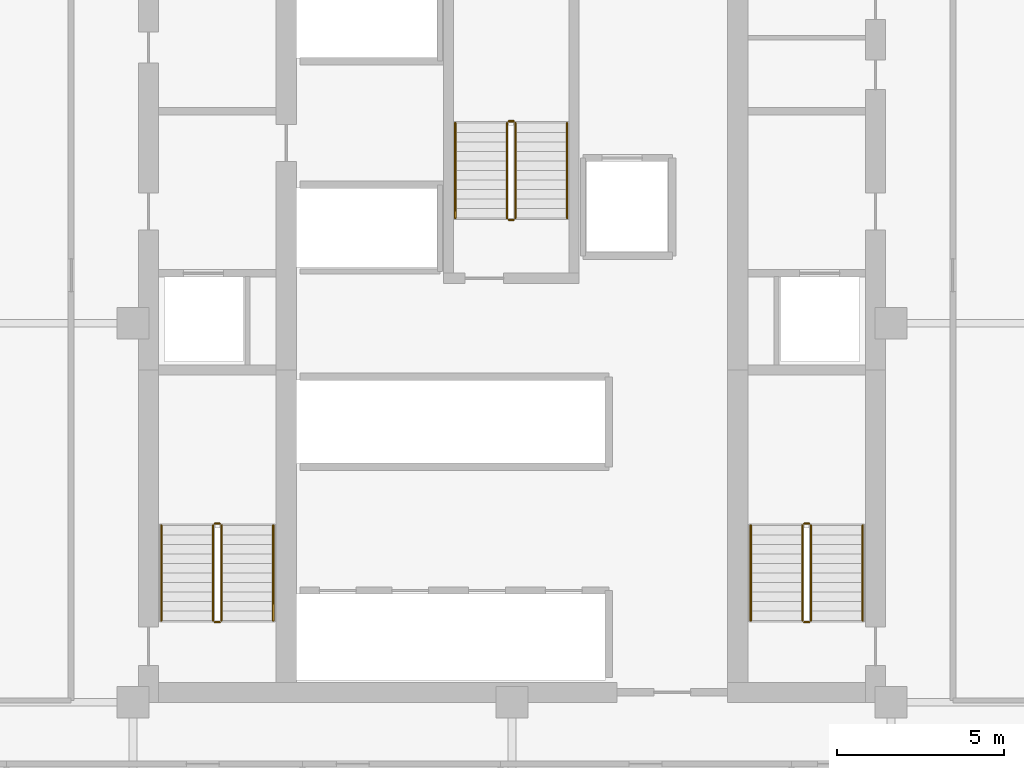
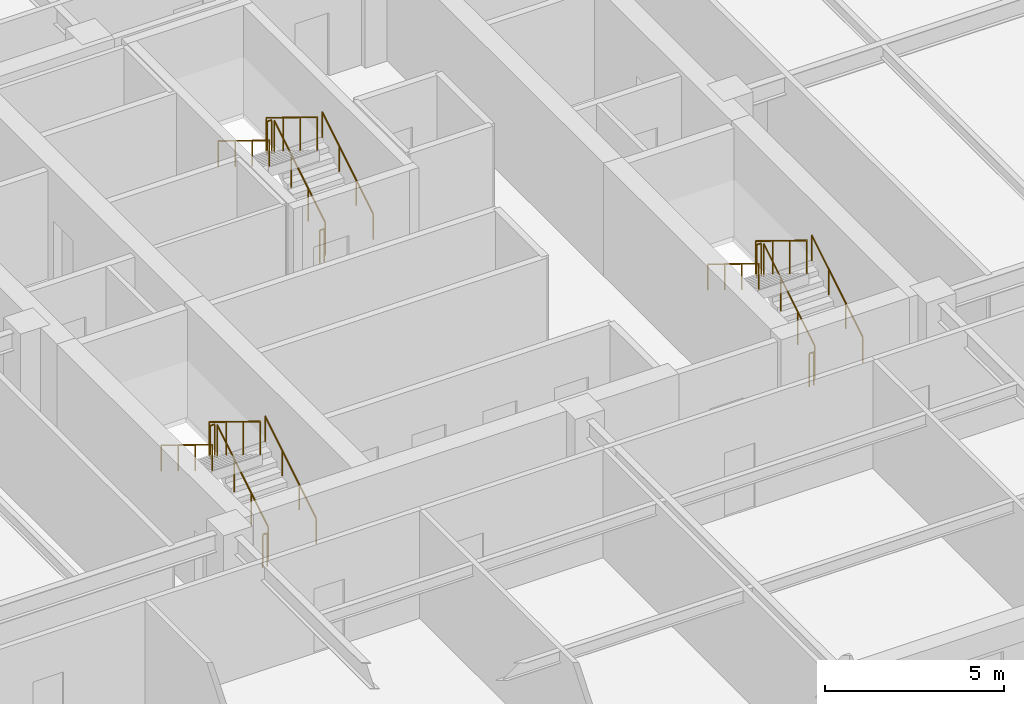
# One storey, part 9 of 9: 18 railings.
"""IFC4 building model written with IfcOpenShell, lengths in metres."""

from ifc_helpers import new_model, si_unit, direction, frame, origin, origin_2d, place, context, subcontext, project, spatial, circle, extrude, material, type_object, element, save


model = new_model("IFC4")

# Units and contexts
model_context = context("Model", 3, precision=1e-05, world=origin(), true_north=direction((0.0, 1.0)))
body_context = subcontext(model_context, "Body", "Model", "MODEL_VIEW")
ifc_project = project(units=[si_unit("LENGTHUNIT", "METRE"), si_unit("AREAUNIT", "SQUARE_METRE"), si_unit("VOLUMEUNIT", "CUBIC_METRE"), si_unit("PLANEANGLEUNIT", "RADIAN"), si_unit("MASSUNIT", "GRAM", prefix="KILO")], contexts=[model_context])

# Site, building, storey
site_placement = place(None, origin())
site = spatial("IfcSite", under=ifc_project, at=site_placement, CompositionType="ELEMENT")
building_placement = place(site_placement, origin())
building = spatial("IfcBuilding", under=site, at=building_placement, Name="Nhamokura Convention Tower", CompositionType="ELEMENT")
storey_placement = place(building_placement, frame((0.0, 0.0, 156.800048828125)))
storey = spatial("IfcBuildingStorey", under=building, at=storey_placement, Name="L38", CompositionType="ELEMENT", Elevation=156.800048828125)

# Railings
ifc_material_1 = material(Name="Anodised bronze stainless steel", Category="steel")
railing_type_1 = type_object("IfcRailingType", Name="StairWallHandrail_900", PredefinedType="HANDRAIL", material=ifc_material_1)
railing_1_placement = place(storey_placement, frame((24.85009765625, 23.10009765625, 0.175048828125)))
element("IfcRailing", 1, at=railing_1_placement, inside=storey, type_object=railing_type_1, Name="L38 ST-01 stair handrail 1", PredefinedType="HANDRAIL", context=body_context, shape_type="SweptSolid", body=[
    extrude(circle(Radius=0.02392578125, at=origin_2d()), frame((0.0, 0.0, 0.8759765625), z_axis=(0.0, 0.852159232446, 0.523282564737), x_axis=(-1.0, 0.0, 0.0)), (0.0, 0.0, 1.0), 3.34423828125),
    extrude(circle(Radius=0.02099609375, at=origin_2d()), origin(), (0.0, 0.0, 1.0), 0.851806640625),
    extrude(circle(Radius=0.02099609375, at=origin_2d()), frame((0.0, 0.949951171875, 0.583251953125)), (0.0, 0.0, 1.0), 0.851806640625),
    extrude(circle(Radius=0.02099609375, at=origin_2d()), frame((0.0, 1.89990234375, 1.166748046875)), (0.0, 0.0, 1.0), 0.851806640625),
    extrude(circle(Radius=0.02099609375, at=origin_2d()), frame((0.0, 2.849853515625, 1.75)), (0.0, 0.0, 1.0), 0.851806640625),
])
railing_2_placement = place(storey_placement, frame((21.5, 25.949951171875, 2.099853515625)))
element("IfcRailing", 2, at=railing_2_placement, inside=storey, type_object=railing_type_1, Name="L38 ST-01 stair handrail 2", PredefinedType="HANDRAIL", context=body_context, shape_type="SweptSolid", body=[
    extrude(circle(Radius=0.02392578125, at=origin_2d()), frame((0.0, 0.0, 0.8759765625), z_axis=(0.0, -0.852159232446, 0.523282564737), x_axis=(1.0, 0.0, 0.0)), (0.0, 0.0, 1.0), 3.34423828125),
    extrude(circle(Radius=0.02099609375, at=origin_2d()), origin(), (0.0, 0.0, 1.0), 0.851806640625),
    extrude(circle(Radius=0.02099609375, at=origin_2d()), frame((0.0, -0.949951171875, 0.583251953125)), (0.0, 0.0, 1.0), 0.851806640625),
    extrude(circle(Radius=0.02099609375, at=origin_2d()), frame((0.0, -1.89990234375, 1.166748046875)), (0.0, 0.0, 1.0), 0.851806640625),
    extrude(circle(Radius=0.02099609375, at=origin_2d()), frame((0.0, -2.849853515625, 1.75)), (0.0, 0.0, 1.0), 0.851806640625),
])
railing_3_placement = place(storey_placement, frame((42.5, 23.10009765625, 0.175048828125)))
element("IfcRailing", 3, at=railing_3_placement, inside=storey, type_object=railing_type_1, Name="L38 ST-02 stair handrail 1", PredefinedType="HANDRAIL", context=body_context, shape_type="SweptSolid", body=[
    extrude(circle(Radius=0.02392578125, at=origin_2d()), frame((0.0, 0.0, 0.8759765625), z_axis=(0.0, 0.852159232446, 0.523282564737), x_axis=(-1.0, 0.0, 0.0)), (0.0, 0.0, 1.0), 3.34423828125),
    extrude(circle(Radius=0.02099609375, at=origin_2d()), origin(), (0.0, 0.0, 1.0), 0.851806640625),
    extrude(circle(Radius=0.02099609375, at=origin_2d()), frame((0.0, 0.949951171875, 0.583251953125)), (0.0, 0.0, 1.0), 0.851806640625),
    extrude(circle(Radius=0.02099609375, at=origin_2d()), frame((0.0, 1.89990234375, 1.166748046875)), (0.0, 0.0, 1.0), 0.851806640625),
    extrude(circle(Radius=0.02099609375, at=origin_2d()), frame((0.0, 2.849853515625, 1.75)), (0.0, 0.0, 1.0), 0.851806640625),
])
railing_4_placement = place(storey_placement, frame((39.14990234375, 25.949951171875, 2.099853515625)))
element("IfcRailing", 4, at=railing_4_placement, inside=storey, type_object=railing_type_1, Name="L38 ST-02 stair handrail 2", PredefinedType="HANDRAIL", context=body_context, shape_type="SweptSolid", body=[
    extrude(circle(Radius=0.02392578125, at=origin_2d()), frame((0.0, 0.0, 0.8759765625), z_axis=(0.0, -0.852159232446, 0.523282564737), x_axis=(1.0, 0.0, 0.0)), (0.0, 0.0, 1.0), 3.34423828125),
    extrude(circle(Radius=0.02099609375, at=origin_2d()), origin(), (0.0, 0.0, 1.0), 0.851806640625),
    extrude(circle(Radius=0.02099609375, at=origin_2d()), frame((0.0, -0.949951171875, 0.583251953125)), (0.0, 0.0, 1.0), 0.851806640625),
    extrude(circle(Radius=0.02099609375, at=origin_2d()), frame((0.0, -1.89990234375, 1.166748046875)), (0.0, 0.0, 1.0), 0.851806640625),
    extrude(circle(Radius=0.02099609375, at=origin_2d()), frame((0.0, -2.849853515625, 1.75)), (0.0, 0.0, 1.0), 0.851806640625),
])
railing_5_placement = place(storey_placement, frame((33.64990234375, 35.14990234375, 0.175048828125)))
element("IfcRailing", 5, at=railing_5_placement, inside=storey, type_object=railing_type_1, Name="L38 ST-03 stair handrail 1", PredefinedType="HANDRAIL", context=body_context, shape_type="SweptSolid", body=[
    extrude(circle(Radius=0.02392578125, at=origin_2d()), frame((0.0, 0.0, 0.8759765625), z_axis=(0.0, 0.852179220489, 0.52325001306), x_axis=(-1.0, 0.0, 0.0)), (0.0, 0.0, 1.0), 3.344482421875),
    extrude(circle(Radius=0.02099609375, at=origin_2d()), origin(), (0.0, 0.0, 1.0), 0.851806640625),
    extrude(circle(Radius=0.02099609375, at=origin_2d()), frame((0.0, 0.949951171875, 0.583251953125)), (0.0, 0.0, 1.0), 0.851806640625),
    extrude(circle(Radius=0.02099609375, at=origin_2d()), frame((0.0, 1.900146484375, 1.166748046875)), (0.0, 0.0, 1.0), 0.851806640625),
    extrude(circle(Radius=0.02099609375, at=origin_2d()), frame((0.0, 2.85009765625, 1.75)), (0.0, 0.0, 1.0), 0.851806640625),
])
railing_6_placement = place(storey_placement, frame((30.300048828125, 38.0, 2.099853515625)))
element("IfcRailing", 6, at=railing_6_placement, inside=storey, type_object=railing_type_1, Name="L38 ST-03 stair handrail 2", PredefinedType="HANDRAIL", context=body_context, shape_type="SweptSolid", body=[
    extrude(circle(Radius=0.02392578125, at=origin_2d()), frame((0.0, 0.0, 0.8759765625), z_axis=(0.0, -0.852179220489, 0.52325001306), x_axis=(1.0, 0.0, 0.0)), (0.0, 0.0, 1.0), 3.344482421875),
    extrude(circle(Radius=0.02099609375, at=origin_2d()), origin(), (0.0, 0.0, 1.0), 0.851806640625),
    extrude(circle(Radius=0.02099609375, at=origin_2d()), frame((0.0, -0.949951171875, 0.583251953125)), (0.0, 0.0, 1.0), 0.851806640625),
    extrude(circle(Radius=0.02099609375, at=origin_2d()), frame((0.0, -1.900146484375, 1.166748046875)), (0.0, 0.0, 1.0), 0.851806640625),
    extrude(circle(Radius=0.02099609375, at=origin_2d()), frame((0.0, -2.85009765625, 1.75)), (0.0, 0.0, 1.0), 0.851806640625),
])
ifc_material_2 = material(Name="Painted tubular steel", Category="steel")
railing_type_2 = type_object("IfcRailingType", Name="StairWellGuardrail_1150", PredefinedType="GUARDRAIL", material=ifc_material_2)
railing_7_placement = place(storey_placement, frame((23.300048828125, 23.10009765625, 0.175048828125)))
element("IfcRailing", 7, at=railing_7_placement, inside=storey, type_object=railing_type_2, Name="L38 ST-01 stair guard 1", PredefinedType="GUARDRAIL", context=body_context, shape_type="SweptSolid", body=[
    extrude(circle(Radius=0.02392578125, at=origin_2d()), frame((0.0, 0.0, 1.1259765625), z_axis=(0.0, 0.852159232446, 0.523282564737), x_axis=(-1.0, 0.0, 0.0)), (0.0, 0.0, 1.0), 3.34423828125),
    extrude(circle(Radius=0.02099609375, at=origin_2d()), origin(), (0.0, 0.0, 1.0), 1.101806640625),
    extrude(circle(Radius=0.02099609375, at=origin_2d()), frame((0.0, 0.949951171875, 0.583251953125)), (0.0, 0.0, 1.0), 1.101806640625),
    extrude(circle(Radius=0.02099609375, at=origin_2d()), frame((0.0, 1.89990234375, 1.166748046875)), (0.0, 0.0, 1.0), 1.101806640625),
    extrude(circle(Radius=0.02099609375, at=origin_2d()), frame((0.0, 2.849853515625, 1.75)), (0.0, 0.0, 1.0), 1.101806640625),
])
railing_8_placement = place(storey_placement, frame((23.25, 26.0, 1.925048828125)))
element("IfcRailing", 8, at=railing_8_placement, inside=storey, type_object=railing_type_2, Name="L38 ST-01 stair guard 2", PredefinedType="GUARDRAIL", context=body_context, shape_type="SweptSolid", body=[
    extrude(circle(Radius=0.02392578125, at=origin_2d()), frame((0.0, 0.0, 1.1259765625), z_axis=(-1.0, 0.0, 0.0), x_axis=(0.0, -1.0, 0.0)), (0.0, 0.0, 1.0), 0.14990234375),
    extrude(circle(Radius=0.02099609375, at=origin_2d()), origin(), (0.0, 0.0, 1.0), 1.101806640625),
    extrude(circle(Radius=0.02099609375, at=origin_2d()), frame((-0.14990234375, 0.0, 0.0)), (0.0, 0.0, 1.0), 1.101806640625),
])
railing_9_placement = place(storey_placement, frame((23.050048828125, 25.949951171875, 2.099853515625)))
element("IfcRailing", 9, at=railing_9_placement, inside=storey, type_object=railing_type_2, Name="L38 ST-01 stair guard 3", PredefinedType="GUARDRAIL", context=body_context, shape_type="SweptSolid", body=[
    extrude(circle(Radius=0.02392578125, at=origin_2d()), frame((0.0, 0.0, 1.1259765625), z_axis=(0.0, -0.852159232446, 0.523282564737), x_axis=(1.0, 0.0, 0.0)), (0.0, 0.0, 1.0), 3.34423828125),
    extrude(circle(Radius=0.02099609375, at=origin_2d()), origin(), (0.0, 0.0, 1.0), 1.101806640625),
    extrude(circle(Radius=0.02099609375, at=origin_2d()), frame((0.0, -0.949951171875, 0.583251953125)), (0.0, 0.0, 1.0), 1.101806640625),
    extrude(circle(Radius=0.02099609375, at=origin_2d()), frame((0.0, -1.89990234375, 1.166748046875)), (0.0, 0.0, 1.0), 1.101806640625),
    extrude(circle(Radius=0.02099609375, at=origin_2d()), frame((0.0, -2.849853515625, 1.75)), (0.0, 0.0, 1.0), 1.101806640625),
])
railing_10_placement = place(storey_placement, frame((23.25, 23.050048828125, 0.0)))
element("IfcRailing", 10, at=railing_10_placement, inside=storey, type_object=railing_type_2, Name="L38 ST-01 stair guard 4", PredefinedType="GUARDRAIL", context=body_context, shape_type="SweptSolid", body=[
    extrude(circle(Radius=0.02392578125, at=origin_2d()), frame((0.0, 0.0, 1.1259765625), z_axis=(-1.0, 0.0, 0.0), x_axis=(0.0, -1.0, 0.0)), (0.0, 0.0, 1.0), 0.14990234375),
    extrude(circle(Radius=0.02099609375, at=origin_2d()), origin(), (0.0, 0.0, 1.0), 1.101806640625),
    extrude(circle(Radius=0.02099609375, at=origin_2d()), frame((-0.14990234375, 0.0, 0.0)), (0.0, 0.0, 1.0), 1.101806640625),
])
railing_11_placement = place(storey_placement, frame((40.949951171875, 23.10009765625, 0.175048828125)))
element("IfcRailing", 11, at=railing_11_placement, inside=storey, type_object=railing_type_2, Name="L38 ST-02 stair guard 1", PredefinedType="GUARDRAIL", context=body_context, shape_type="SweptSolid", body=[
    extrude(circle(Radius=0.02392578125, at=origin_2d()), frame((0.0, 0.0, 1.1259765625), z_axis=(0.0, 0.852159232446, 0.523282564737), x_axis=(-1.0, 0.0, 0.0)), (0.0, 0.0, 1.0), 3.34423828125),
    extrude(circle(Radius=0.02099609375, at=origin_2d()), origin(), (0.0, 0.0, 1.0), 1.101806640625),
    extrude(circle(Radius=0.02099609375, at=origin_2d()), frame((0.0, 0.949951171875, 0.583251953125)), (0.0, 0.0, 1.0), 1.101806640625),
    extrude(circle(Radius=0.02099609375, at=origin_2d()), frame((0.0, 1.89990234375, 1.166748046875)), (0.0, 0.0, 1.0), 1.101806640625),
    extrude(circle(Radius=0.02099609375, at=origin_2d()), frame((0.0, 2.849853515625, 1.75)), (0.0, 0.0, 1.0), 1.101806640625),
])
railing_12_placement = place(storey_placement, frame((40.89990234375, 26.0, 1.925048828125)))
element("IfcRailing", 12, at=railing_12_placement, inside=storey, type_object=railing_type_2, Name="L38 ST-02 stair guard 2", PredefinedType="GUARDRAIL", context=body_context, shape_type="SweptSolid", body=[
    extrude(circle(Radius=0.02392578125, at=origin_2d()), frame((0.0, 0.0, 1.1259765625), z_axis=(-1.0, 0.0, 0.0), x_axis=(0.0, -1.0, 0.0)), (0.0, 0.0, 1.0), 0.14990234375),
    extrude(circle(Radius=0.02099609375, at=origin_2d()), origin(), (0.0, 0.0, 1.0), 1.101806640625),
    extrude(circle(Radius=0.02099609375, at=origin_2d()), frame((-0.14990234375, 0.0, 0.0)), (0.0, 0.0, 1.0), 1.101806640625),
])
railing_13_placement = place(storey_placement, frame((40.699951171875, 25.949951171875, 2.099853515625)))
element("IfcRailing", 13, at=railing_13_placement, inside=storey, type_object=railing_type_2, Name="L38 ST-02 stair guard 3", PredefinedType="GUARDRAIL", context=body_context, shape_type="SweptSolid", body=[
    extrude(circle(Radius=0.02392578125, at=origin_2d()), frame((0.0, 0.0, 1.1259765625), z_axis=(0.0, -0.852159232446, 0.523282564737), x_axis=(1.0, 0.0, 0.0)), (0.0, 0.0, 1.0), 3.34423828125),
    extrude(circle(Radius=0.02099609375, at=origin_2d()), origin(), (0.0, 0.0, 1.0), 1.101806640625),
    extrude(circle(Radius=0.02099609375, at=origin_2d()), frame((0.0, -0.949951171875, 0.583251953125)), (0.0, 0.0, 1.0), 1.101806640625),
    extrude(circle(Radius=0.02099609375, at=origin_2d()), frame((0.0, -1.89990234375, 1.166748046875)), (0.0, 0.0, 1.0), 1.101806640625),
    extrude(circle(Radius=0.02099609375, at=origin_2d()), frame((0.0, -2.849853515625, 1.75)), (0.0, 0.0, 1.0), 1.101806640625),
])
railing_14_placement = place(storey_placement, frame((40.89990234375, 23.050048828125, 0.0)))
element("IfcRailing", 14, at=railing_14_placement, inside=storey, type_object=railing_type_2, Name="L38 ST-02 stair guard 4", PredefinedType="GUARDRAIL", context=body_context, shape_type="SweptSolid", body=[
    extrude(circle(Radius=0.02392578125, at=origin_2d()), frame((0.0, 0.0, 1.1259765625), z_axis=(-1.0, 0.0, 0.0), x_axis=(0.0, -1.0, 0.0)), (0.0, 0.0, 1.0), 0.14990234375),
    extrude(circle(Radius=0.02099609375, at=origin_2d()), origin(), (0.0, 0.0, 1.0), 1.101806640625),
    extrude(circle(Radius=0.02099609375, at=origin_2d()), frame((-0.14990234375, 0.0, 0.0)), (0.0, 0.0, 1.0), 1.101806640625),
])
railing_15_placement = place(storey_placement, frame((32.10009765625, 35.14990234375, 0.175048828125)))
element("IfcRailing", 15, at=railing_15_placement, inside=storey, type_object=railing_type_2, Name="L38 ST-03 stair guard 1", PredefinedType="GUARDRAIL", context=body_context, shape_type="SweptSolid", body=[
    extrude(circle(Radius=0.02392578125, at=origin_2d()), frame((0.0, 0.0, 1.1259765625), z_axis=(0.0, 0.852179220489, 0.52325001306), x_axis=(-1.0, 0.0, 0.0)), (0.0, 0.0, 1.0), 3.344482421875),
    extrude(circle(Radius=0.02099609375, at=origin_2d()), origin(), (0.0, 0.0, 1.0), 1.101806640625),
    extrude(circle(Radius=0.02099609375, at=origin_2d()), frame((0.0, 0.949951171875, 0.583251953125)), (0.0, 0.0, 1.0), 1.101806640625),
    extrude(circle(Radius=0.02099609375, at=origin_2d()), frame((0.0, 1.900146484375, 1.166748046875)), (0.0, 0.0, 1.0), 1.101806640625),
    extrude(circle(Radius=0.02099609375, at=origin_2d()), frame((0.0, 2.85009765625, 1.75)), (0.0, 0.0, 1.0), 1.101806640625),
])
railing_16_placement = place(storey_placement, frame((32.050048828125, 38.050048828125, 1.925048828125)))
element("IfcRailing", 16, at=railing_16_placement, inside=storey, type_object=railing_type_2, Name="L38 ST-03 stair guard 2", PredefinedType="GUARDRAIL", context=body_context, shape_type="SweptSolid", body=[
    extrude(circle(Radius=0.02392578125, at=origin_2d()), frame((0.0, 0.0, 1.1259765625), z_axis=(-1.0, 0.0, 0.0), x_axis=(0.0, -1.0, 0.0)), (0.0, 0.0, 1.0), 0.150146484375),
    extrude(circle(Radius=0.02099609375, at=origin_2d()), origin(), (0.0, 0.0, 1.0), 1.101806640625),
    extrude(circle(Radius=0.02099609375, at=origin_2d()), frame((-0.150146484375, 0.0, 0.0)), (0.0, 0.0, 1.0), 1.101806640625),
])
railing_17_placement = place(storey_placement, frame((31.85009765625, 38.0, 2.099853515625)))
element("IfcRailing", 17, at=railing_17_placement, inside=storey, type_object=railing_type_2, Name="L38 ST-03 stair guard 3", PredefinedType="GUARDRAIL", context=body_context, shape_type="SweptSolid", body=[
    extrude(circle(Radius=0.02392578125, at=origin_2d()), frame((0.0, 0.0, 1.1259765625), z_axis=(0.0, -0.852179220489, 0.52325001306), x_axis=(1.0, 0.0, 0.0)), (0.0, 0.0, 1.0), 3.344482421875),
    extrude(circle(Radius=0.02099609375, at=origin_2d()), origin(), (0.0, 0.0, 1.0), 1.101806640625),
    extrude(circle(Radius=0.02099609375, at=origin_2d()), frame((0.0, -0.949951171875, 0.583251953125)), (0.0, 0.0, 1.0), 1.101806640625),
    extrude(circle(Radius=0.02099609375, at=origin_2d()), frame((0.0, -1.900146484375, 1.166748046875)), (0.0, 0.0, 1.0), 1.101806640625),
    extrude(circle(Radius=0.02099609375, at=origin_2d()), frame((0.0, -2.85009765625, 1.75)), (0.0, 0.0, 1.0), 1.101806640625),
])
railing_18_placement = place(storey_placement, frame((32.050048828125, 35.10009765625, 0.0)))
element("IfcRailing", 18, at=railing_18_placement, inside=storey, type_object=railing_type_2, Name="L38 ST-03 stair guard 4", PredefinedType="GUARDRAIL", context=body_context, shape_type="SweptSolid", body=[
    extrude(circle(Radius=0.02392578125, at=origin_2d()), frame((0.0, 0.0, 1.1259765625), z_axis=(-1.0, 0.0, 0.0), x_axis=(0.0, -1.0, 0.0)), (0.0, 0.0, 1.0), 0.150146484375),
    extrude(circle(Radius=0.02099609375, at=origin_2d()), origin(), (0.0, 0.0, 1.0), 1.101806640625),
    extrude(circle(Radius=0.02099609375, at=origin_2d()), frame((-0.150146484375, 0.0, 0.0)), (0.0, 0.0, 1.0), 1.101806640625),
])

save(model, "model.ifc")
